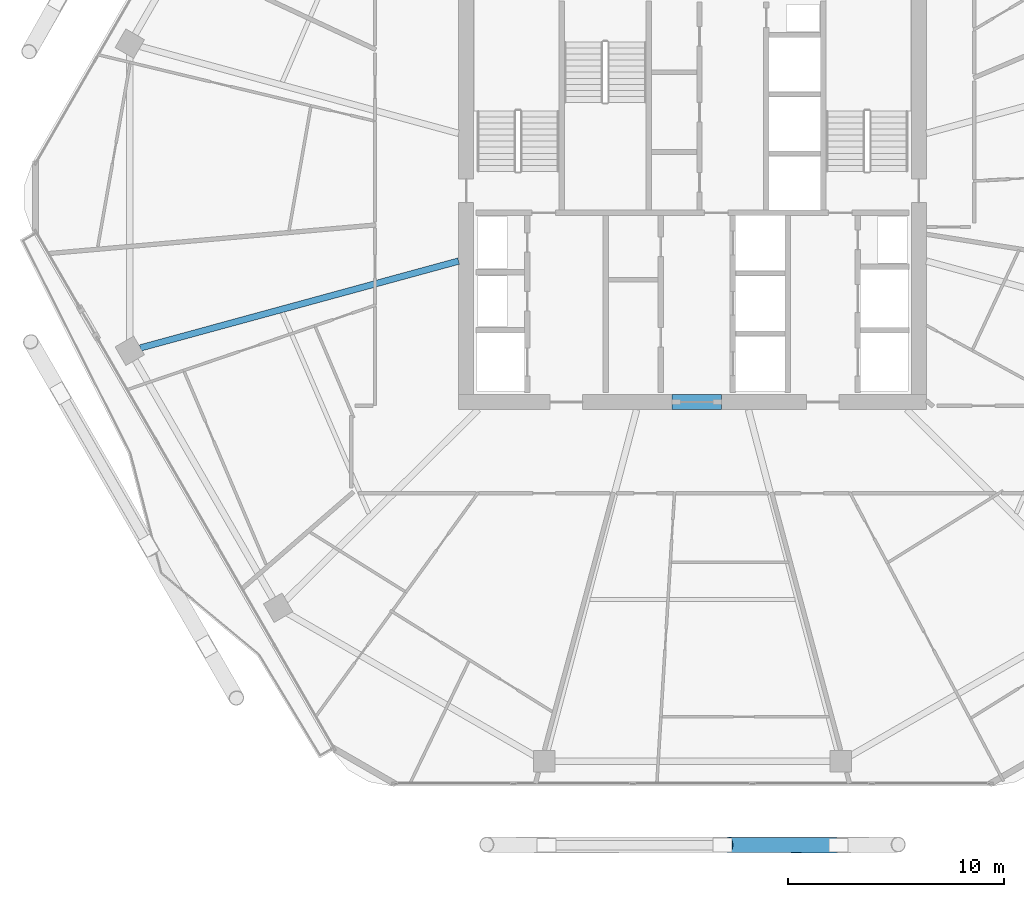
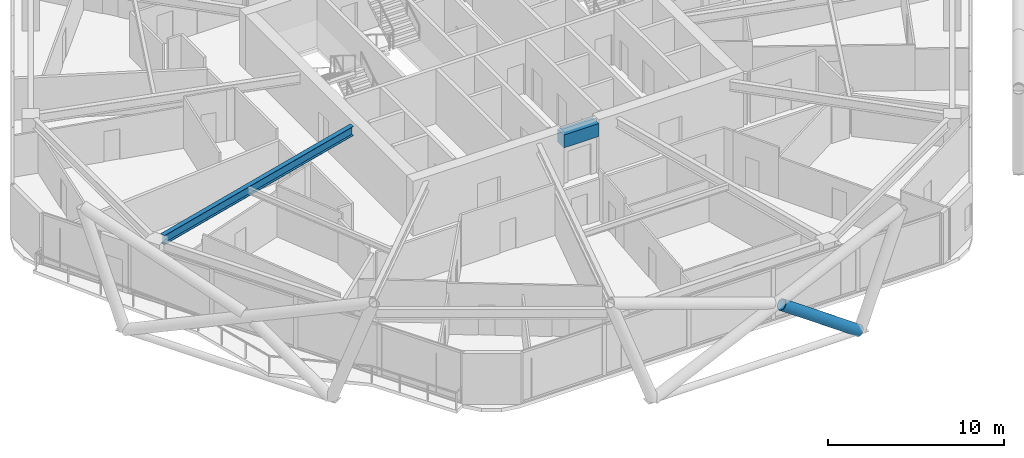
# One storey, part 6 of 28: 2 beams, 1 member.
"""IFC4 building model written with IfcOpenShell, lengths in metres."""

from ifc_helpers import new_model, si_unit, direction, frame, origin, origin_2d, place, context, subcontext, project, spatial, rectangle, hollow_circle, i_section, extrude, material, material_profile, profile_set, type_object, element, save


model = new_model("IFC4")

# Units and contexts
model_context = context("Model", 3, precision=1e-05, world=origin(), true_north=direction((0.0, 1.0)))
body_context = subcontext(model_context, "Body", "Model", "MODEL_VIEW")
ifc_project = project(units=[si_unit("LENGTHUNIT", "METRE"), si_unit("AREAUNIT", "SQUARE_METRE"), si_unit("VOLUMEUNIT", "CUBIC_METRE"), si_unit("PLANEANGLEUNIT", "RADIAN"), si_unit("MASSUNIT", "GRAM", prefix="KILO")], contexts=[model_context])

# Site, building, storey
site_placement = place(None, origin())
site = spatial("IfcSite", under=ifc_project, at=site_placement, CompositionType="ELEMENT")
building_placement = place(site_placement, origin())
building = spatial("IfcBuilding", under=site, at=building_placement, Name="Zuhravey Tower", CompositionType="ELEMENT")
storey_placement = place(building_placement, frame((0.0, 0.0, 169.39990234375)))
storey = spatial("IfcBuildingStorey", under=building, at=storey_placement, Name="L42", CompositionType="ELEMENT", Elevation=169.39990234375)

# Beam
ifc_material_1 = material(Name="Concrete C60/75", Category="concrete")
ifc_material_profile_1 = material_profile(ifc_material_1, rectangle(XDim=0.699951171875, YDim=0.89990234375, at=origin_2d()), Name="RC-700x900")
ifc_profile_set_1 = profile_set([ifc_material_profile_1], Name="Concrete C60/75")
beam_type_1 = type_object("IfcBeamType", Name="Core Coupling Beam RC700x900", PredefinedType="LINTEL", material=ifc_profile_set_1)
beam_1_placement = place(storey_placement, frame((35.052001953125, 22.5, 3.10009765625), z_axis=(1.0, 0.0, 0.0), x_axis=(0.0, 1.0, 0.0)))
element("IfcBeam", 1, at=beam_1_placement, inside=storey, type_object=beam_type_1, Name="L42 CB1 BM-L42-CB-S", PredefinedType="LINTEL", context=body_context, shape_type="SweptSolid", body=[
    extrude(rectangle(XDim=0.699951171875, YDim=0.89990234375, at=origin_2d()), origin(), (0.0, 0.0, 1.0), 2.2958984375),
])

# Member
ifc_material_2 = material(Name="Steel SM460", Category="steel")
ifc_material_profile_2 = material_profile(ifc_material_2, hollow_circle(Radius=0.355712890625, WallThickness=0.031982421875, at=origin_2d()), Name="CHS-711.2x32")
ifc_profile_set_2 = profile_set([ifc_material_profile_2], Name="Steel SM460")
member_type = type_object("IfcMemberType", Name="Exoskeleton Zone 2 Diagrid CHS711x32", PredefinedType="BRACE", material=ifc_profile_set_2)
member_placement = place(storey_placement, frame((42.7421875, 1.93701171875, -0.4365234375), z_axis=(-0.81749967084, 0.002281980023, 0.575924544314), x_axis=(-0.00279140312, -0.999996104027, 0.0)))
element("IfcMember", 2, at=member_placement, inside=storey, type_object=member_type, Name="L42 Face 5 Split Diagrid Brace 3A", PredefinedType="BRACE", context=body_context, shape_type="SweptSolid", body=[
    extrude(hollow_circle(Radius=0.355712890625, WallThickness=0.031982421875, at=origin_2d()), origin(), (0.0, 0.0, 1.0), 6.205322265625),
])

# Beam
ifc_material_3 = material(Name="Steel SM355", Category="steel")
ifc_material_profile_3 = material_profile(ifc_material_3, i_section(OverallWidth=0.300048828125, OverallDepth=0.64990234375, WebThickness=0.012939453125, FlangeThickness=0.02197265625, at=origin_2d()), Name="H-650x300x13x22")
ifc_profile_set_3 = profile_set([ifc_material_profile_3], Name="Steel SM355")
beam_type_2 = type_object("IfcBeamType", Name="Radial Primary Girder H650x300", PredefinedType="BEAM", material=ifc_profile_set_3)
beam_2_placement = place(storey_placement, frame((25.14697265625, 29.03759765625, 3.22509765625), z_axis=(-0.964701601771, -0.263345437667, 0.0), x_axis=(0.263345437667, -0.964701601771, 0.0)))
element("IfcBeam", 3, at=beam_2_placement, inside=storey, type_object=beam_type_2, Name="L42 RG2 BM-L42-RAD-07", PredefinedType="BEAM", context=body_context, shape_type="SweptSolid", body=[
    extrude(i_section(OverallWidth=0.300048828125, OverallDepth=0.64990234375, WebThickness=0.012939453125, FlangeThickness=0.02197265625, at=origin_2d()), origin(), (0.0, 0.0, 1.0), 15.309814453125),
])

save(model, "model.ifc")
